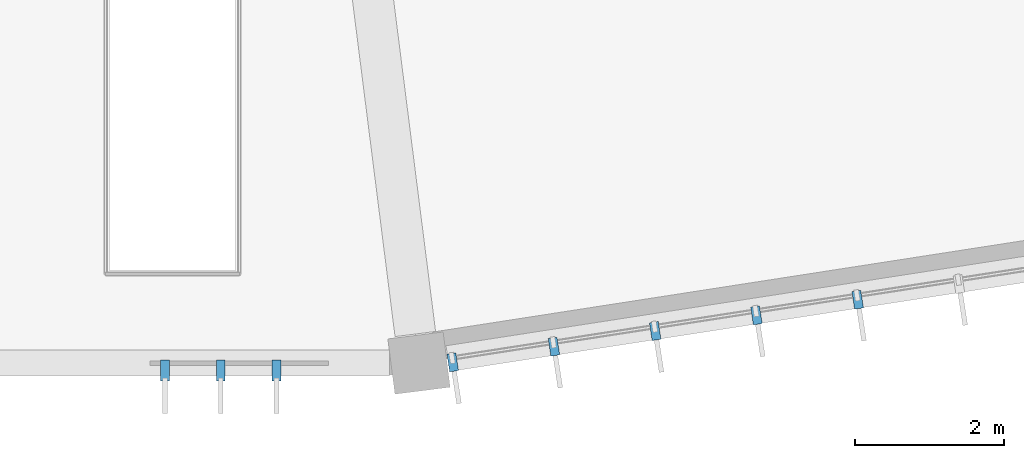
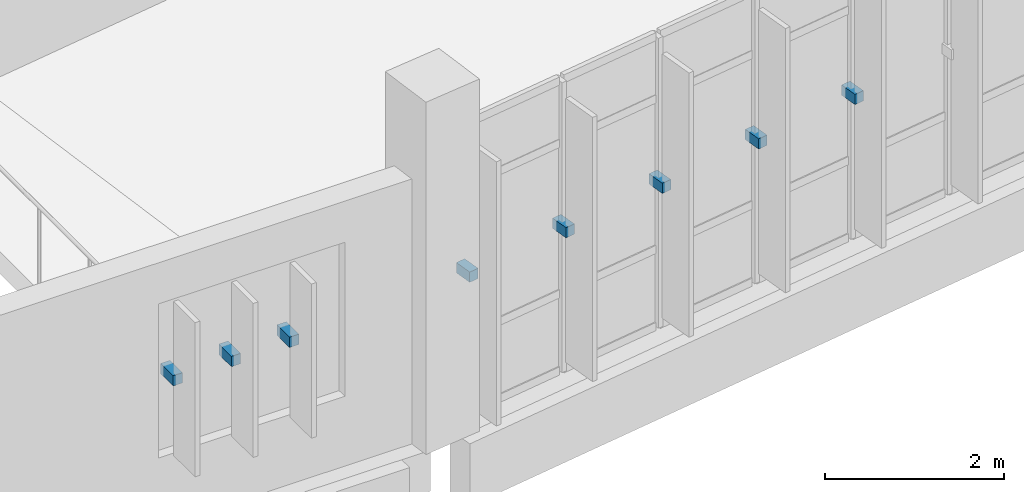
# One storey, part 136 of 179: 8 discrete accessories.
"""IFC4 building model written with IfcOpenShell, lengths in metres."""

from ifc_helpers import new_model, si_unit, direction, frame, origin, origin_2d, place, context, subcontext, project, spatial, rectangle, extrude, material, type_object, element, save


model = new_model("IFC4")

# Units and contexts
model_context = context("Model", 3, precision=1e-05, world=origin(), true_north=direction((0.0, 1.0)))
body_context = subcontext(model_context, "Body", "Model", "MODEL_VIEW")
ifc_project = project(units=[si_unit("LENGTHUNIT", "METRE"), si_unit("AREAUNIT", "SQUARE_METRE"), si_unit("VOLUMEUNIT", "CUBIC_METRE"), si_unit("PLANEANGLEUNIT", "RADIAN"), si_unit("MASSUNIT", "GRAM", prefix="KILO")], contexts=[model_context])

# Site, building, storey
site_placement = place(None, origin())
site = spatial("IfcSite", under=ifc_project, at=site_placement, CompositionType="ELEMENT")
building_placement = place(site_placement, origin())
building = spatial("IfcBuilding", under=site, at=building_placement, Name="Corvandel Quay Wholesale Market", CompositionType="ELEMENT")
storey_placement = place(building_placement, frame((0.0, 0.0, 6.0)))
storey = spatial("IfcBuildingStorey", under=building, at=storey_placement, Name="L01", CompositionType="ELEMENT", Elevation=6.0)

# Discrete accessories
ifc_material = material(Name="Austenitic stainless steel Grade 316", Category="steel")
discrete_accessory_type = type_object("IfcDiscreteAccessoryType", Name="Stainless Solar Fin Fixing Bracket BRK01", PredefinedType="USERDEFINED", material=ifc_material)
for number, where, z_axis, x_axis, name in (
    (1, (115.89892578125, -0.10009765625, 1.93017578125), (0.0, 0.0, 1.0), (0.0, 1.0, 0.0), "Fin Bracket 0145"),
    (2, (116.64892578125, -0.10009765625, 1.93017578125), (0.0, 0.0, 1.0), (0.0, 1.0, 0.0), "Fin Bracket 0146"),
    (3, (117.39892578125, -0.10009765625, 1.93017578125), (0.0, 0.0, 1.0), (0.0, 1.0, 0.0), "Fin Bracket 0147"),
):
    element("IfcDiscreteAccessory", number, at=place(storey_placement, frame(where, z_axis=z_axis, x_axis=x_axis)), inside=storey, type_object=discrete_accessory_type, Name=name, ObjectType="BRACKET", PredefinedType="USERDEFINED", context=body_context, shape_type="SweptSolid", body=[
        extrude(rectangle(XDim=0.280029296875, YDim=0.1201171875, at=origin_2d()), origin(), (0.0, 0.0, 1.0), 0.139892578125),
    ])
for number, where, z_axis, x_axis, name in (
    (4, (119.77294921875, 0.009521484375, 1.9052734375), (0.0, 0.0, 1.0), (-0.152813355565, 0.98825506746, 0.0), "Fin Bracket 0150"),
    (5, (121.135986328125, 0.220458984375, 1.9052734375), (0.0, 0.0, 1.0), (-0.152813355565, 0.98825506746, 0.0), "Fin Bracket 0151"),
    (6, (122.499267578125, 0.431396484375, 1.9052734375), (0.0, 0.0, 1.0), (-0.152813355565, 0.98825506746, 0.0), "Fin Bracket 0152"),
    (7, (123.862548828125, 0.64208984375, 1.9052734375), (0.0, 0.0, 1.0), (-0.152813355565, 0.98825506746, 0.0), "Fin Bracket 0153"),
    (8, (125.225830078125, 0.853271484375, 1.9052734375), (0.0, 0.0, 1.0), (-0.152813355565, 0.98825506746, 0.0), "Fin Bracket 0154"),
):
    element("IfcDiscreteAccessory", number, at=place(storey_placement, frame(where, z_axis=z_axis, x_axis=x_axis)), inside=storey, type_object=discrete_accessory_type, Name=name, ObjectType="BRACKET", PredefinedType="USERDEFINED", context=body_context, shape_type="SweptSolid", body=[
        extrude(rectangle(XDim=0.239990234375, YDim=0.1201171875, at=origin_2d()), origin(), (0.0, 0.0, 1.0), 0.139892578125),
    ])

save(model, "model.ifc")
